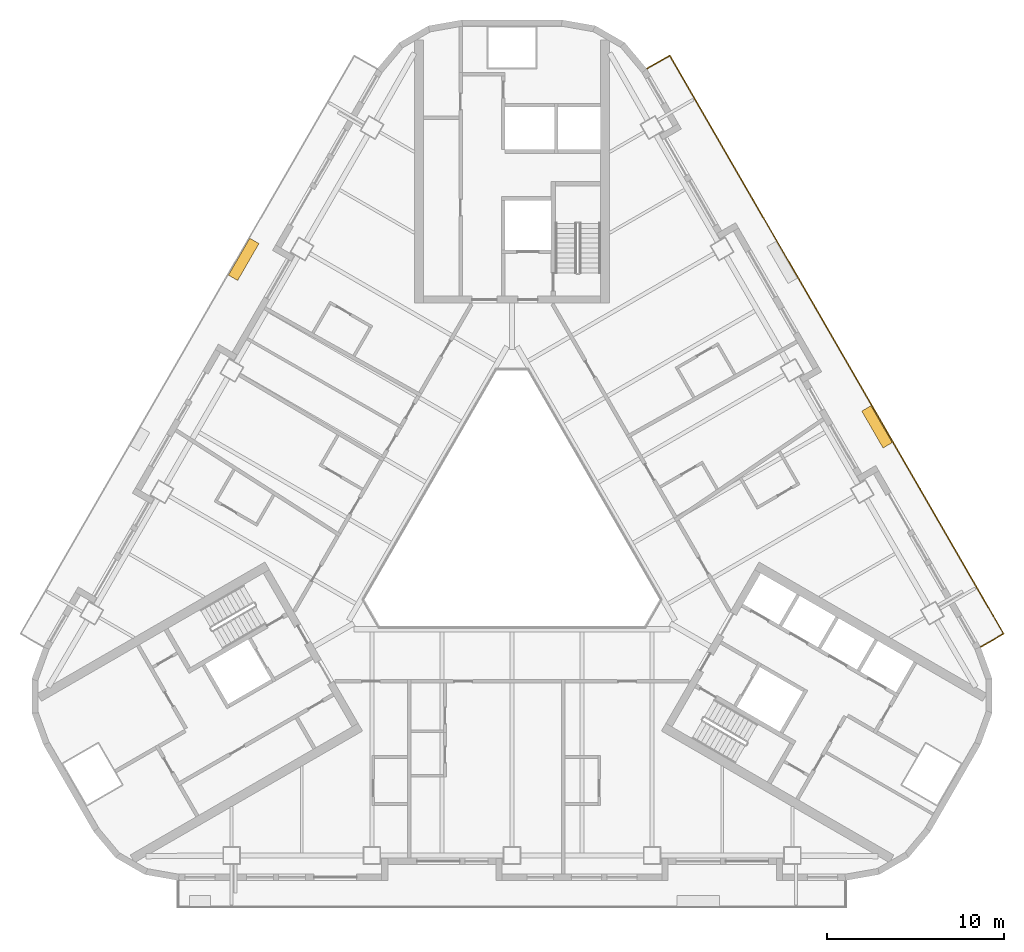
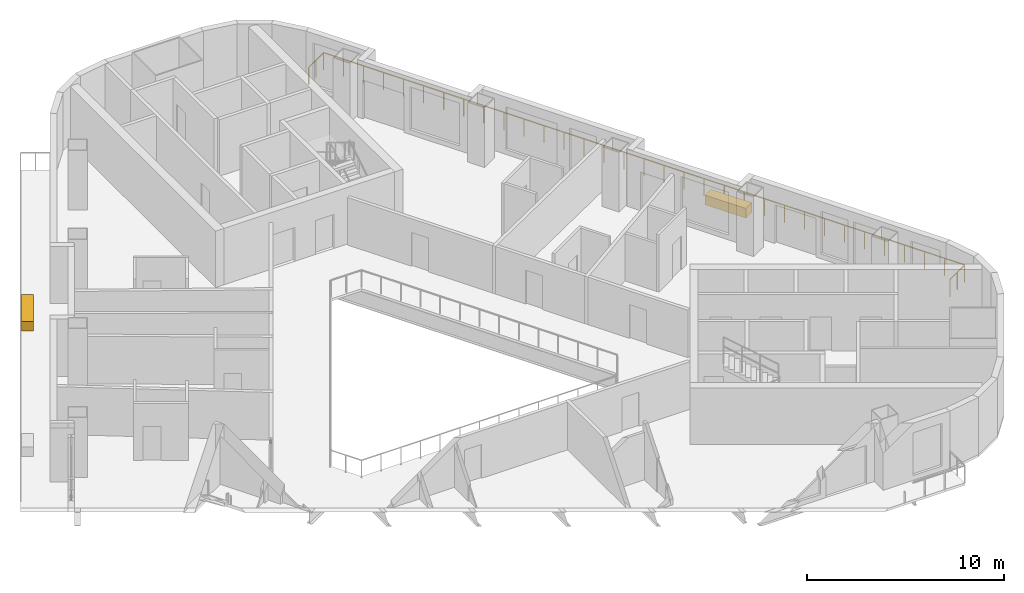
# One storey, part 12 of 13: 2 coverings, 1 railing.
"""IFC4 building model written with IfcOpenShell, lengths in metres."""

from ifc_helpers import new_model, si_unit, direction, frame, origin, origin_2d, place, context, subcontext, project, spatial, rectangle, extrude, material, type_object, element, save


model = new_model("IFC4")

# Units and contexts
model_context = context("Model", 3, precision=1e-05, world=origin(), true_north=direction((0.0, 1.0)))
body_context = subcontext(model_context, "Body", "Model", "MODEL_VIEW")
ifc_project = project(units=[si_unit("LENGTHUNIT", "METRE"), si_unit("AREAUNIT", "SQUARE_METRE"), si_unit("VOLUMEUNIT", "CUBIC_METRE"), si_unit("PLANEANGLEUNIT", "RADIAN"), si_unit("MASSUNIT", "GRAM", prefix="KILO")], contexts=[model_context])

# Site, building, storey
site_placement = place(None, origin())
site = spatial("IfcSite", under=ifc_project, at=site_placement, CompositionType="ELEMENT")
building_placement = place(site_placement, origin())
building = spatial("IfcBuilding", under=site, at=building_placement, Name="Apuvela Tower Hotel", CompositionType="ELEMENT")
storey_placement = place(building_placement, frame((0.0, 0.0, 57.60009765625)))
storey = spatial("IfcBuildingStorey", under=building, at=storey_placement, Name="L11", CompositionType="ELEMENT", Elevation=57.60009765625)

# Railing
ifc_material_1 = material(Name="Stainless steel 316 rail with laminated glass infill", Category="steel")
railing_type = type_object("IfcRailingType", Name="ENV-GUARD-1100", PredefinedType="GUARDRAIL", material=ifc_material_1)
railing_placement = place(storey_placement, frame((26.407958984375, -6.47998046875, 0.0)))
element("IfcRailing", 1, at=railing_placement, inside=storey, type_object=railing_type, Name="Balcony guard NE L11", PredefinedType="GUARDRAIL", context=body_context, shape_type="SweptSolid", body=[
    extrude(rectangle(XDim=0.050048828125, YDim=0.050048828125, at=origin_2d()), frame((0.0, 0.0, 1.0751953125), z_axis=(0.866031096941, 0.499990139034, 0.0), x_axis=(-0.499990139034, 0.866031096941, 0.0)), (0.0, 0.0, 1.0), 1.5),
    extrude(rectangle(XDim=0.050048828125, YDim=0.050048828125, at=origin_2d()), frame((1.299072265625, 0.75, 1.0751953125), z_axis=(-0.500000437506, 0.86602515119, 0.0), x_axis=(-0.86602515119, -0.500000437506, 0.0)), (0.0, 0.0, 1.0), 37.6318359375),
    extrude(rectangle(XDim=0.050048828125, YDim=0.050048828125, at=origin_2d()), frame((-17.516845703125, 33.340087890625, 1.0751953125), z_axis=(-0.86599040064, -0.500060622324, 0.0), x_axis=(0.500060622324, -0.86599040064, 0.0)), (0.0, 0.0, 1.0), 1.499755859375),
    extrude(rectangle(XDim=0.0400390625, YDim=0.0400390625, at=origin_2d()), origin(), (0.0, 0.0, 1.0), 1.050048828125),
    extrude(rectangle(XDim=0.0400390625, YDim=0.0400390625, at=origin_2d()), frame((0.6494140625, 0.375, 0.0)), (0.0, 0.0, 1.0), 1.050048828125),
    extrude(rectangle(XDim=0.0400390625, YDim=0.0400390625, at=origin_2d()), frame((1.299072265625, 0.75, 0.0)), (0.0, 0.0, 1.0), 1.050048828125),
    extrude(rectangle(XDim=0.0400390625, YDim=0.0400390625, at=origin_2d()), frame((0.711181640625, 1.7685546875, 0.0)), (0.0, 0.0, 1.0), 1.050048828125),
    extrude(rectangle(XDim=0.0400390625, YDim=0.0400390625, at=origin_2d()), frame((0.123046875, 2.786865234375, 0.0)), (0.0, 0.0, 1.0), 1.050048828125),
    extrude(rectangle(XDim=0.0400390625, YDim=0.0400390625, at=origin_2d()), frame((-0.46484375, 3.805419921875, 0.0)), (0.0, 0.0, 1.0), 1.050048828125),
    extrude(rectangle(XDim=0.0400390625, YDim=0.0400390625, at=origin_2d()), frame((-1.052978515625, 4.82373046875, 0.0)), (0.0, 0.0, 1.0), 1.050048828125),
    extrude(rectangle(XDim=0.0400390625, YDim=0.0400390625, at=origin_2d()), frame((-1.640869140625, 5.84228515625, 0.0)), (0.0, 0.0, 1.0), 1.050048828125),
    extrude(rectangle(XDim=0.0400390625, YDim=0.0400390625, at=origin_2d()), frame((-2.22900390625, 6.860595703125, 0.0)), (0.0, 0.0, 1.0), 1.050048828125),
    extrude(rectangle(XDim=0.0400390625, YDim=0.0400390625, at=origin_2d()), frame((-2.81689453125, 7.879150390625, 0.0)), (0.0, 0.0, 1.0), 1.050048828125),
    extrude(rectangle(XDim=0.0400390625, YDim=0.0400390625, at=origin_2d()), frame((-3.40478515625, 8.8974609375, 0.0)), (0.0, 0.0, 1.0), 1.050048828125),
    extrude(rectangle(XDim=0.0400390625, YDim=0.0400390625, at=origin_2d()), frame((-3.992919921875, 9.916015625, 0.0)), (0.0, 0.0, 1.0), 1.050048828125),
    extrude(rectangle(XDim=0.0400390625, YDim=0.0400390625, at=origin_2d()), frame((-4.580810546875, 10.934326171875, 0.0)), (0.0, 0.0, 1.0), 1.050048828125),
    extrude(rectangle(XDim=0.0400390625, YDim=0.0400390625, at=origin_2d()), frame((-5.1689453125, 11.952880859375, 0.0)), (0.0, 0.0, 1.0), 1.050048828125),
    extrude(rectangle(XDim=0.0400390625, YDim=0.0400390625, at=origin_2d()), frame((-5.7568359375, 12.97119140625, 0.0)), (0.0, 0.0, 1.0), 1.050048828125),
    extrude(rectangle(XDim=0.0400390625, YDim=0.0400390625, at=origin_2d()), frame((-6.344970703125, 13.98974609375, 0.0)), (0.0, 0.0, 1.0), 1.050048828125),
    extrude(rectangle(XDim=0.0400390625, YDim=0.0400390625, at=origin_2d()), frame((-6.932861328125, 15.008056640625, 0.0)), (0.0, 0.0, 1.0), 1.050048828125),
    extrude(rectangle(XDim=0.0400390625, YDim=0.0400390625, at=origin_2d()), frame((-7.52099609375, 16.026611328125, 0.0)), (0.0, 0.0, 1.0), 1.050048828125),
    extrude(rectangle(XDim=0.0400390625, YDim=0.0400390625, at=origin_2d()), frame((-8.10888671875, 17.044921875, 0.0)), (0.0, 0.0, 1.0), 1.050048828125),
    extrude(rectangle(XDim=0.0400390625, YDim=0.0400390625, at=origin_2d()), frame((-8.69677734375, 18.0634765625, 0.0)), (0.0, 0.0, 1.0), 1.050048828125),
    extrude(rectangle(XDim=0.0400390625, YDim=0.0400390625, at=origin_2d()), frame((-9.284912109375, 19.08203125, 0.0)), (0.0, 0.0, 1.0), 1.050048828125),
    extrude(rectangle(XDim=0.0400390625, YDim=0.0400390625, at=origin_2d()), frame((-9.872802734375, 20.100341796875, 0.0)), (0.0, 0.0, 1.0), 1.050048828125),
    extrude(rectangle(XDim=0.0400390625, YDim=0.0400390625, at=origin_2d()), frame((-10.4609375, 21.118896484375, 0.0)), (0.0, 0.0, 1.0), 1.050048828125),
    extrude(rectangle(XDim=0.0400390625, YDim=0.0400390625, at=origin_2d()), frame((-11.048828125, 22.13720703125, 0.0)), (0.0, 0.0, 1.0), 1.050048828125),
    extrude(rectangle(XDim=0.0400390625, YDim=0.0400390625, at=origin_2d()), frame((-11.636962890625, 23.15576171875, 0.0)), (0.0, 0.0, 1.0), 1.050048828125),
    extrude(rectangle(XDim=0.0400390625, YDim=0.0400390625, at=origin_2d()), frame((-12.224853515625, 24.174072265625, 0.0)), (0.0, 0.0, 1.0), 1.050048828125),
    extrude(rectangle(XDim=0.0400390625, YDim=0.0400390625, at=origin_2d()), frame((-12.81298828125, 25.192626953125, 0.0)), (0.0, 0.0, 1.0), 1.050048828125),
    extrude(rectangle(XDim=0.0400390625, YDim=0.0400390625, at=origin_2d()), frame((-13.40087890625, 26.2109375, 0.0)), (0.0, 0.0, 1.0), 1.050048828125),
    extrude(rectangle(XDim=0.0400390625, YDim=0.0400390625, at=origin_2d()), frame((-13.98876953125, 27.2294921875, 0.0)), (0.0, 0.0, 1.0), 1.050048828125),
    extrude(rectangle(XDim=0.0400390625, YDim=0.0400390625, at=origin_2d()), frame((-14.576904296875, 28.247802734375, 0.0)), (0.0, 0.0, 1.0), 1.050048828125),
    extrude(rectangle(XDim=0.0400390625, YDim=0.0400390625, at=origin_2d()), frame((-15.164794921875, 29.266357421875, 0.0)), (0.0, 0.0, 1.0), 1.050048828125),
    extrude(rectangle(XDim=0.0400390625, YDim=0.0400390625, at=origin_2d()), frame((-15.7529296875, 30.28466796875, 0.0)), (0.0, 0.0, 1.0), 1.050048828125),
    extrude(rectangle(XDim=0.0400390625, YDim=0.0400390625, at=origin_2d()), frame((-16.3408203125, 31.30322265625, 0.0)), (0.0, 0.0, 1.0), 1.050048828125),
    extrude(rectangle(XDim=0.0400390625, YDim=0.0400390625, at=origin_2d()), frame((-16.928955078125, 32.321533203125, 0.0)), (0.0, 0.0, 1.0), 1.050048828125),
    extrude(rectangle(XDim=0.0400390625, YDim=0.0400390625, at=origin_2d()), frame((-17.516845703125, 33.340087890625, 0.0)), (0.0, 0.0, 1.0), 1.050048828125),
    extrude(rectangle(XDim=0.0400390625, YDim=0.0400390625, at=origin_2d()), frame((-18.166259765625, 32.965087890625, 0.0)), (0.0, 0.0, 1.0), 1.050048828125),
    extrude(rectangle(XDim=0.0400390625, YDim=0.0400390625, at=origin_2d()), frame((-18.815673828125, 32.590087890625, 0.0)), (0.0, 0.0, 1.0), 1.050048828125),
])

# Coverings
ifc_material_2 = material(Name="Planting substrate and soil, planted")
covering_type = type_object("IfcCoveringType", Name="ENV-PLANTER-2400x600", PredefinedType="USERDEFINED", material=ifc_material_2)
for number, where, z_axis, x_axis, name in (
    (2, (20.571044921875, 5.929931640625, -0.000244140625), (0.0, 0.0, 1.0), (-0.5, 0.866025403784, 0.0), "Planter NE3"),
    (3, (-15.12109375, 15.36962890625, -0.000244140625), (0.0, 0.0, 1.0), (-0.5, -0.866025403784, 0.0), "Planter NW5"),
):
    element("IfcCovering", number, at=place(storey_placement, frame(where, z_axis=z_axis, x_axis=x_axis)), inside=storey, type_object=covering_type, Name=name, ObjectType="PLANTER", PredefinedType="USERDEFINED", context=body_context, shape_type="SweptSolid", body=[
        extrude(rectangle(XDim=2.39990234375, YDim=0.60009765625, at=origin_2d()), origin(), (0.0, 0.0, 1.0), 0.60009765625),
    ])

save(model, "model.ifc")
